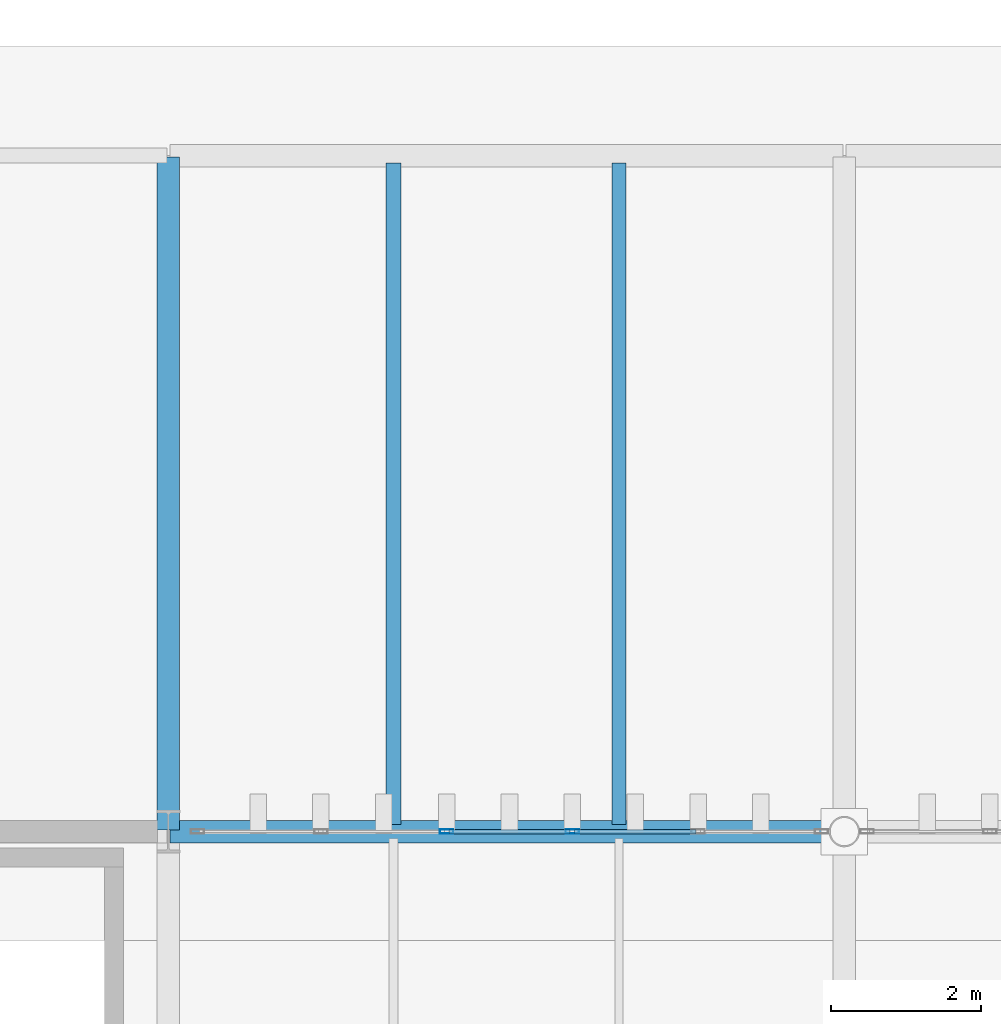
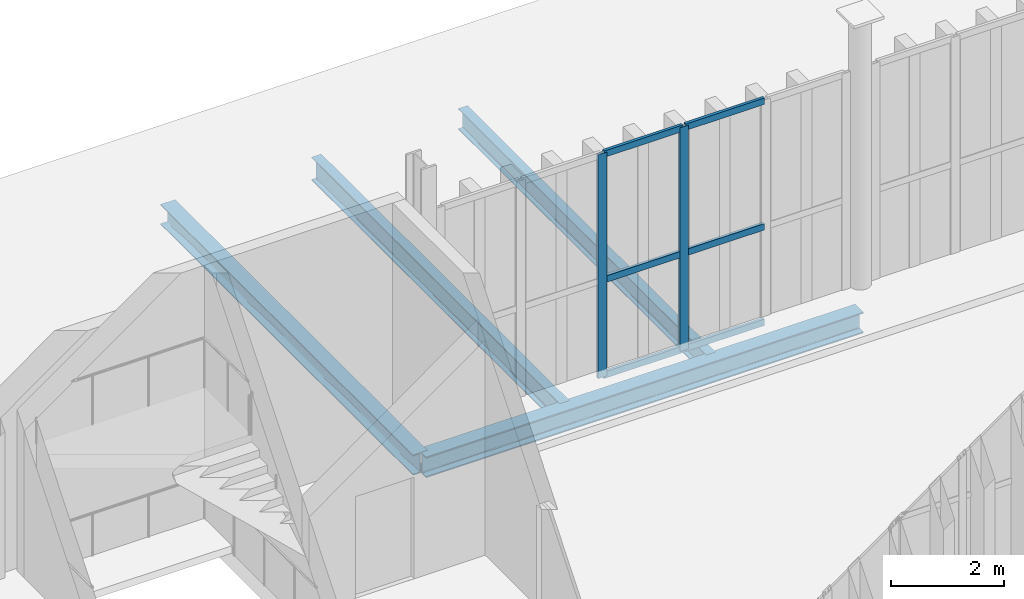
# One storey, part 154 of 237: 8 members, 4 beams, 1 element without a shape of its own.
"""IFC4 building model written with IfcOpenShell, lengths in metres."""

from ifc_helpers import new_model, si_unit, direction, frame, origin, origin_2d, place, context, subcontext, project, spatial, hollow_rectangle, i_section, extrude, material, layer, layer_set, material_profile, profile_set, type_object, element, aggregate, save


model = new_model("IFC4")

# Units and contexts
model_context = context("Model", 3, precision=1e-05, world=origin(), true_north=direction((0.0, 1.0)))
body_context = subcontext(model_context, "Body", "Model", "MODEL_VIEW")
ifc_project = project(units=[si_unit("LENGTHUNIT", "METRE"), si_unit("AREAUNIT", "SQUARE_METRE"), si_unit("VOLUMEUNIT", "CUBIC_METRE"), si_unit("PLANEANGLEUNIT", "RADIAN"), si_unit("MASSUNIT", "GRAM", prefix="KILO")], contexts=[model_context])

# Site, building, storey
site_placement = place(None, origin())
site = spatial("IfcSite", under=ifc_project, at=site_placement, CompositionType="ELEMENT")
building_placement = place(site_placement, origin())
building = spatial("IfcBuilding", under=site, at=building_placement, Name="Barlavento Convention Centre", CompositionType="ELEMENT")
storey_placement = place(building_placement, frame((0.0, 0.0, 12.0)))
storey = spatial("IfcBuildingStorey", under=building, at=storey_placement, Name="L02", CompositionType="ELEMENT", Elevation=12.0)

# Curtain wall, members
ifc_material_1 = material(Name="Powder-coated aluminium and Low-E glass", Category="aluminium")
ifc_layer = layer(ifc_material_1, 0.195068359375)
ifc_layer_set = layer_set([ifc_layer], Name="ARC-CW-BALL-L02")
curtain_wall_type = type_object("IfcCurtainWallType", Name="ARC-CW-BALL-L02", PredefinedType="NOTDEFINED", material=ifc_layer_set)
curtain_wall_placement = place(storey_placement, origin())
curtain_wall = element("IfcCurtainWall", 1, at=curtain_wall_placement, inside=storey, type_object=curtain_wall_type, Name="L02 unitised curtain wall CW07", PredefinedType="NOTDEFINED")
ifc_material_2 = material(Name="Powder-coated aluminium", Category="aluminium")
ifc_material_profile_1 = material_profile(ifc_material_2, hollow_rectangle(XDim=0.06005859375, YDim=0.179931640625, WallThickness=0.0048828125, at=origin_2d()), Name="AL-MULL 60x180x5")
ifc_profile_set_1 = profile_set([ifc_material_profile_1], Name="Powder-coated aluminium")
member_type_1 = type_object("IfcMemberType", Name="ARC-CWM-60X180", PredefinedType="MULLION", material=ifc_profile_set_1)
member_1_placement = place(storey_placement, frame((156.704345703125, 99.0, 0.0), z_axis=(0.0, 0.0, 1.0), x_axis=(0.0, 1.0, 0.0)))
member_1 = element("IfcMember", 2, at=member_1_placement, type_object=member_type_1, Name="CW07 mullion 3", PredefinedType="MULLION", context=body_context, shape_type="SweptSolid", body=[
    extrude(hollow_rectangle(XDim=0.06005859375, YDim=0.179931640625, WallThickness=0.0048828125, at=origin_2d()), origin(), (0.0, 0.0, 1.0), 4.85009765625),
])
member_2_placement = place(storey_placement, frame((158.37841796875, 99.0, 0.0), z_axis=(0.0, 0.0, 1.0), x_axis=(0.0, 1.0, 0.0)))
member_2 = element("IfcMember", 3, at=member_2_placement, type_object=member_type_1, Name="CW07 mullion 4", PredefinedType="MULLION", context=body_context, shape_type="SweptSolid", body=[
    extrude(hollow_rectangle(XDim=0.06005859375, YDim=0.179931640625, WallThickness=0.0048828125, at=origin_2d()), origin(), (0.0, 0.0, 1.0), 4.85009765625),
])
ifc_material_profile_2 = material_profile(ifc_material_2, hollow_rectangle(XDim=0.06005859375, YDim=0.139892578125, WallThickness=0.00390625, at=origin_2d()), Name="AL-TRAN 60x140x4")
ifc_profile_set_2 = profile_set([ifc_material_profile_2], Name="Powder-coated aluminium")
member_type_2 = type_object("IfcMemberType", Name="ARC-CWT-60X140", PredefinedType="USERDEFINED", material=ifc_profile_set_2)
member_3_placement = place(storey_placement, frame((156.734375, 99.0, 0.030029296875), z_axis=(1.0, 0.0, 0.0), x_axis=(0.0, 1.0, 0.0)))
member_3 = element("IfcMember", 4, at=member_3_placement, type_object=member_type_2, Name="CW07 transom 3.1", ObjectType="TRANSOM", PredefinedType="USERDEFINED", context=body_context, shape_type="SweptSolid", body=[
    extrude(hollow_rectangle(XDim=0.06005859375, YDim=0.139892578125, WallThickness=0.00390625, at=origin_2d()), origin(), (0.0, 0.0, 1.0), 1.614013671875),
])
member_4_placement = place(storey_placement, frame((156.734375, 99.0, 2.10009765625), z_axis=(1.0, 0.0, 0.0), x_axis=(0.0, 1.0, 0.0)))
member_4 = element("IfcMember", 5, at=member_4_placement, type_object=member_type_2, Name="CW07 transom 3.2", ObjectType="TRANSOM", PredefinedType="USERDEFINED", context=body_context, shape_type="SweptSolid", body=[
    extrude(hollow_rectangle(XDim=0.06005859375, YDim=0.139892578125, WallThickness=0.00390625, at=origin_2d()), origin(), (0.0, 0.0, 1.0), 1.614013671875),
])
member_5_placement = place(storey_placement, frame((156.734375, 99.0, 4.820068359375), z_axis=(1.0, 0.0, 0.0), x_axis=(0.0, 1.0, 0.0)))
member_5 = element("IfcMember", 6, at=member_5_placement, type_object=member_type_2, Name="CW07 transom 3.3", ObjectType="TRANSOM", PredefinedType="USERDEFINED", context=body_context, shape_type="SweptSolid", body=[
    extrude(hollow_rectangle(XDim=0.06005859375, YDim=0.139892578125, WallThickness=0.00390625, at=origin_2d()), origin(), (0.0, 0.0, 1.0), 1.614013671875),
])
member_6_placement = place(storey_placement, frame((158.408447265625, 99.0, 0.030029296875), z_axis=(1.0, 0.0, 0.0), x_axis=(0.0, 1.0, 0.0)))
member_6 = element("IfcMember", 7, at=member_6_placement, type_object=member_type_2, Name="CW07 transom 4.1", ObjectType="TRANSOM", PredefinedType="USERDEFINED", context=body_context, shape_type="SweptSolid", body=[
    extrude(hollow_rectangle(XDim=0.06005859375, YDim=0.139892578125, WallThickness=0.00390625, at=origin_2d()), origin(), (0.0, 0.0, 1.0), 1.6142578125),
])
member_7_placement = place(storey_placement, frame((158.408447265625, 99.0, 2.10009765625), z_axis=(1.0, 0.0, 0.0), x_axis=(0.0, 1.0, 0.0)))
member_7 = element("IfcMember", 8, at=member_7_placement, type_object=member_type_2, Name="CW07 transom 4.2", ObjectType="TRANSOM", PredefinedType="USERDEFINED", context=body_context, shape_type="SweptSolid", body=[
    extrude(hollow_rectangle(XDim=0.06005859375, YDim=0.139892578125, WallThickness=0.00390625, at=origin_2d()), origin(), (0.0, 0.0, 1.0), 1.6142578125),
])
member_8_placement = place(storey_placement, frame((158.408447265625, 99.0, 4.820068359375), z_axis=(1.0, 0.0, 0.0), x_axis=(0.0, 1.0, 0.0)))
member_8 = element("IfcMember", 9, at=member_8_placement, type_object=member_type_2, Name="CW07 transom 4.3", ObjectType="TRANSOM", PredefinedType="USERDEFINED", context=body_context, shape_type="SweptSolid", body=[
    extrude(hollow_rectangle(XDim=0.06005859375, YDim=0.139892578125, WallThickness=0.00390625, at=origin_2d()), origin(), (0.0, 0.0, 1.0), 1.6142578125),
])
aggregate(curtain_wall, [member_1, member_2, member_3, member_4, member_5, member_6, member_7, member_8])

# Beams
ifc_material_3 = material(Name="Steel S355", Category="steel")
ifc_material_profile_3 = material_profile(ifc_material_3, i_section(OverallWidth=0.18994140625, OverallDepth=0.449951171875, WebThickness=0.009521484375, FlangeThickness=0.0146484375, FilletRadius=0.02099609375, at=origin_2d()), Name="IPE 450")
ifc_profile_set_3 = profile_set([ifc_material_profile_3], Name="Steel S355")
beam_type_1 = type_object("IfcBeamType", Name="STR-BM-JST-IPE450", PredefinedType="JOIST", material=ifc_profile_set_3)
beam_1_placement = place(storey_placement, frame((159.0, 99.094970703125, -0.590087890625), z_axis=(0.0, 1.0, 0.0), x_axis=(-1.0, 0.0, 0.0)))
element("IfcBeam", 10, at=beam_1_placement, inside=storey, type_object=beam_type_1, Name="L02 composite floor joist SJ03", PredefinedType="JOIST", context=body_context, shape_type="SweptSolid", body=[
    extrude(i_section(OverallWidth=0.18994140625, OverallDepth=0.449951171875, WebThickness=0.009521484375, FlangeThickness=0.0146484375, FilletRadius=0.02099609375, at=origin_2d()), origin(), (0.0, 0.0, 1.0), 8.81005859375),
])
ifc_material_profile_4 = material_profile(ifc_material_3, i_section(OverallWidth=0.199951171875, OverallDepth=0.5, WebThickness=0.01025390625, FlangeThickness=0.01611328125, FilletRadius=0.02099609375, at=origin_2d()), Name="IPE 500")
ifc_profile_set_4 = profile_set([ifc_material_profile_4], Name="Steel S355")
beam_type_2 = type_object("IfcBeamType", Name="STR-BM-JST-IPE500", PredefinedType="JOIST", material=ifc_profile_set_4)
beam_2_placement = place(storey_placement, frame((156.0, 99.094970703125, -0.614990234375), z_axis=(0.0, 1.0, 0.0), x_axis=(-1.0, 0.0, 0.0)))
element("IfcBeam", 11, at=beam_2_placement, inside=storey, type_object=beam_type_2, Name="L02 composite floor joist SJ02", PredefinedType="JOIST", context=body_context, shape_type="SweptSolid", body=[
    extrude(i_section(OverallWidth=0.199951171875, OverallDepth=0.5, WebThickness=0.01025390625, FlangeThickness=0.01611328125, FilletRadius=0.02099609375, at=origin_2d()), origin(), (0.0, 0.0, 1.0), 8.81005859375),
])
ifc_material_profile_5 = material_profile(ifc_material_3, i_section(OverallWidth=0.300048828125, OverallDepth=0.43994140625, WebThickness=0.011474609375, FlangeThickness=0.02099609375, FilletRadius=0.027099609375, at=origin_2d()), Name="HEA 450")
ifc_profile_set_5 = profile_set([ifc_material_profile_5], Name="Steel S355")
beam_type_3 = type_object("IfcBeamType", Name="STR-BM-PRI-HEA450", PredefinedType="BEAM", material=ifc_profile_set_5)
beam_3_placement = place(storey_placement, frame((153.0, 99.02001953125, -0.5849609375), z_axis=(0.0, 1.0, 0.0), x_axis=(-1.0, 0.0, 0.0)))
element("IfcBeam", 12, at=beam_3_placement, inside=storey, type_object=beam_type_3, Name="L02 grid girder BG21", PredefinedType="BEAM", context=body_context, shape_type="SweptSolid", body=[
    extrude(i_section(OverallWidth=0.300048828125, OverallDepth=0.43994140625, WebThickness=0.011474609375, FlangeThickness=0.02099609375, FilletRadius=0.027099609375, at=origin_2d()), origin(), (0.0, 0.0, 1.0), 8.9599609375),
])
ifc_material_profile_6 = material_profile(ifc_material_3, i_section(OverallWidth=0.300048828125, OverallDepth=0.449951171875, WebThickness=0.013916015625, FlangeThickness=0.02587890625, FilletRadius=0.027099609375, at=origin_2d()), Name="HEB 450")
ifc_profile_set_6 = profile_set([ifc_material_profile_6], Name="Steel S355")
beam_type_4 = type_object("IfcBeamType", Name="STR-BM-PRI-HEB450", PredefinedType="BEAM", material=ifc_profile_set_6)
beam_4_placement = place(storey_placement, frame((153.02001953125, 99.0, -0.590087890625), z_axis=(1.0, 0.0, 0.0), x_axis=(0.0, 1.0, 0.0)))
element("IfcBeam", 13, at=beam_4_placement, inside=storey, type_object=beam_type_4, Name="L02 primary girder BG10", PredefinedType="BEAM", context=body_context, shape_type="SweptSolid", body=[
    extrude(i_section(OverallWidth=0.300048828125, OverallDepth=0.449951171875, WebThickness=0.013916015625, FlangeThickness=0.02587890625, FilletRadius=0.027099609375, at=origin_2d()), origin(), (0.0, 0.0, 1.0), 8.9599609375),
])

save(model, "model.ifc")
